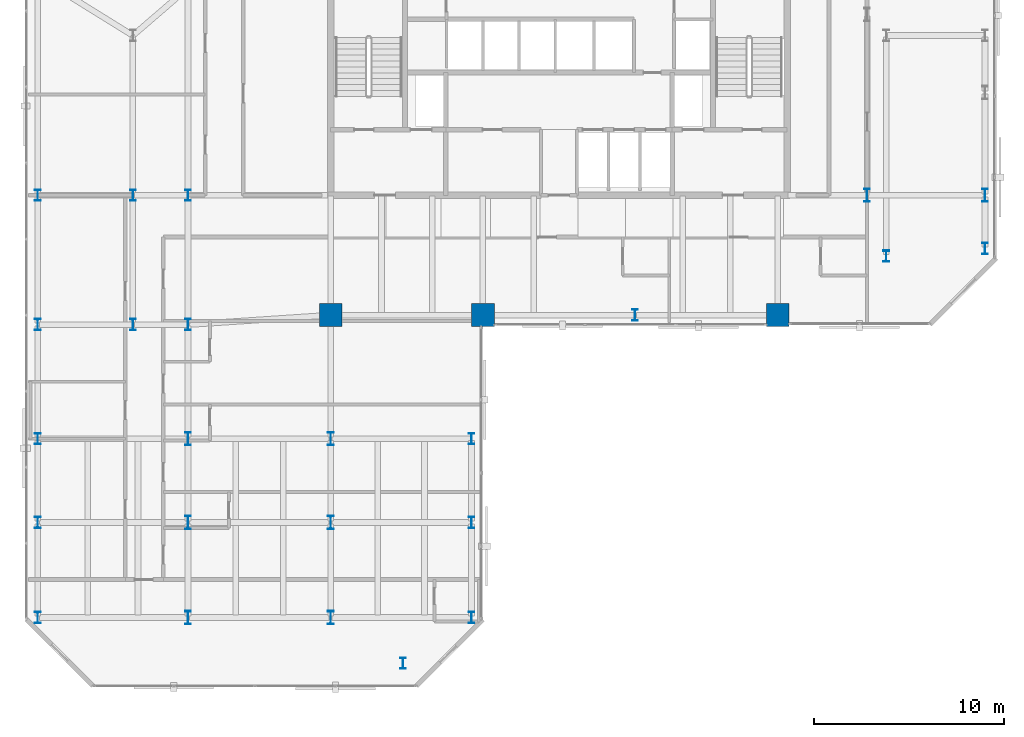
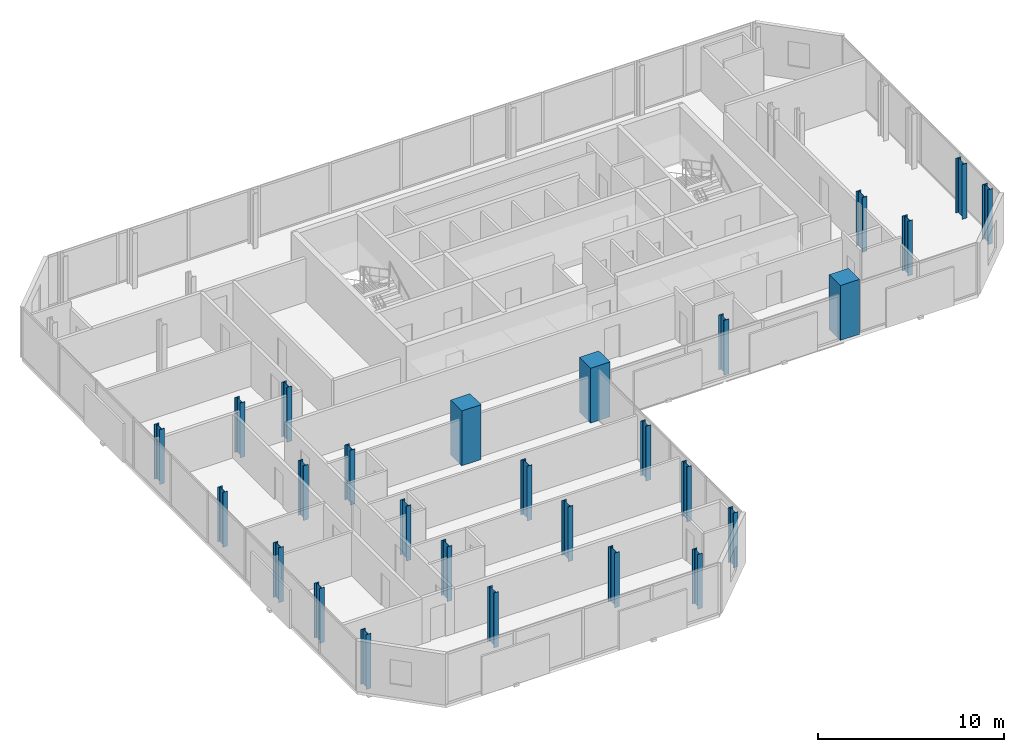
# One storey, part 1 of 32: 27 columns.
"""IFC4 building model written with IfcOpenShell, lengths in metres."""

import ifcopenshell
import ifcopenshell.guid

model = None  # the IFC model being written
_history = None  # IfcOwnerHistory: only IFC2X3 demands one
_inside = {}  # id of a spatial element -> (the spatial element, [elements in it])
_under = {}  # id of a project, library or spatial element -> (it, [spatial elements below it])
_declared = {}  # id of a project -> (the project, [libraries it declares])
_typed = {}  # id of a type object -> (the type object, [elements of that type])
_made_of = {}  # id of a material, layer set ... -> (it, [elements and type objects made of it])


def new_model(schema):
    """Start an empty IFC model of exactly this schema.

    Asked for "IFC4X3", IfcOpenShell would pick the latest addendum, in which some entities
    have other attributes; the version numbers below select the first issue.
    IFC2X3 requires an IfcOwnerHistory on every rooted entity: one is made here for all.
    """
    global model, _history
    if schema == "IFC4X3":
        model = ifcopenshell.file(schema_version=(4, 3, 0, 0))
    else:
        model = ifcopenshell.file(schema=schema)
    _inside.clear()
    _under.clear()
    _declared.clear()
    _typed.clear()
    _made_of.clear()
    _history = None
    if model.schema == "IFC2X3":
        org = make("IfcOrganization", Name="unknown")
        user = make(
            "IfcPersonAndOrganization",
            ThePerson=make("IfcPerson", FamilyName="unknown"),
            TheOrganization=org,
        )
        app = make(
            "IfcApplication",
            ApplicationDeveloper=org,
            Version="unknown",
            ApplicationFullName="unknown",
            ApplicationIdentifier="unknown",
        )
        _history = make(
            "IfcOwnerHistory",
            OwningUser=user,
            OwningApplication=app,
            ChangeAction="ADDED",
            CreationDate=0,
        )
    return model


def make(cls, **values):
    """One entity of the class cls with the attributes given. An attribute that is None is left unset."""
    return model.create_entity(
        cls, **{name: value for name, value in values.items() if value is not None}
    )


def rooted(cls, **values):
    """An entity with a GlobalId (a new one), such as an element, a storey or a relation."""
    return make(cls, GlobalId=ifcopenshell.guid.new(), OwnerHistory=_history, **values)


def si_unit(unit_type, name, prefix=None):
    """IfcSIUnit, for example si_unit("LENGTHUNIT", "METRE", prefix="MILLI")."""
    return make("IfcSIUnit", UnitType=unit_type, Prefix=prefix, Name=name)


def assignment(units):
    """IfcUnitAssignment: the units of a project."""
    return None if units is None else make("IfcUnitAssignment", Units=units)


def point(xyz):
    """IfcCartesianPoint."""
    return None if xyz is None else make("IfcCartesianPoint", Coordinates=xyz)


def direction(xyz):
    """IfcDirection."""
    return None if xyz is None else make("IfcDirection", DirectionRatios=xyz)


def frame(location, z_axis=None, x_axis=None):
    """IfcAxis2Placement3D, a coordinate frame: its origin and axes. An axis left out is left unset."""
    return make(
        "IfcAxis2Placement3D",
        Location=point(location),
        Axis=direction(z_axis),
        RefDirection=direction(x_axis),
    )


def frame_2d(location, x_axis=None):
    """IfcAxis2Placement2D, a coordinate frame in the plane: its origin and x axis."""
    return make(
        "IfcAxis2Placement2D", Location=point(location), RefDirection=direction(x_axis)
    )


def origin():
    """The frame at (0, 0, 0) with its axes left unset."""
    return frame((0.0, 0.0, 0.0))


def origin_2d():
    """The frame at (0, 0) in the plane with its x axis left unset."""
    return frame_2d((0.0, 0.0))


def place(relative_to, where):
    """IfcLocalPlacement: puts the frame where relative to a parent placement (None: the world)."""
    return make(
        "IfcLocalPlacement", PlacementRelTo=relative_to, RelativePlacement=where
    )


def context(
    kind, dimensions, precision=None, world=None, true_north=None, identifier=None
):
    """IfcGeometricRepresentationContext, for example the 3D "Model" context."""
    return make(
        "IfcGeometricRepresentationContext",
        ContextIdentifier=identifier,
        ContextType=kind,
        CoordinateSpaceDimension=dimensions,
        Precision=precision,
        WorldCoordinateSystem=world,
        TrueNorth=true_north,
    )


def subcontext(parent, identifier, kind, view, scale=None):
    """IfcGeometricRepresentationSubContext, for example "Body" below "Model"."""
    return make(
        "IfcGeometricRepresentationSubContext",
        ContextIdentifier=identifier,
        ContextType=kind,
        ParentContext=parent,
        TargetScale=scale,
        TargetView=view,
    )


def project(units=None, contexts=None):
    """IfcProject with its units and contexts."""
    return rooted(
        "IfcProject",
        Name="project",
        RepresentationContexts=contexts,
        UnitsInContext=assignment(units),
    )


def spatial(cls, under=None, at=None, **own):
    """A site, building, storey or space (cls), placed at a placement, below another one or the project."""
    s = rooted(cls, ObjectPlacement=at, **own)
    if under is not None:
        _under.setdefault(under.id(), (under, []))[1].append(s)
    return s


def profile(cls, at=None, kind="AREA", **sizes):
    """A parametric profile (cls). Its sizes go by their IFC names, for example OverallWidth=200.0."""
    return make(cls, ProfileType=kind, Position=at, **sizes)


def rectangle(**sizes):
    """IfcRectangleProfileDef."""
    return profile("IfcRectangleProfileDef", **sizes)


def i_section(**sizes):
    """IfcIShapeProfileDef."""
    return profile("IfcIShapeProfileDef", **sizes)


def extrude(swept, where, along, depth):
    """IfcExtrudedAreaSolid: the profile swept, set in the frame where, extruded along a direction by depth."""
    return make(
        "IfcExtrudedAreaSolid",
        SweptArea=swept,
        Position=where,
        ExtrudedDirection=direction(along),
        Depth=depth,
    )


def shape(context_of_items, identifier, shape_type, items):
    """IfcShapeRepresentation: the items that make up one representation, for example the "Body"."""
    return make(
        "IfcShapeRepresentation",
        ContextOfItems=context_of_items,
        RepresentationIdentifier=identifier,
        RepresentationType=shape_type,
        Items=items,
    )


def material(Name=None, Category=None):
    """IfcMaterial."""
    return make("IfcMaterial", Name=Name, Category=Category)


def material_profile(
    of_material, cross_section, Name=None, Category=None, Priority=None
):
    """IfcMaterialProfile: a cross section and its material."""
    return make(
        "IfcMaterialProfile",
        Name=Name,
        Material=of_material,
        Profile=cross_section,
        Priority=Priority,
        Category=Category,
    )


def profile_set(profiles, Name=None, composite=None):
    """IfcMaterialProfileSet."""
    return make(
        "IfcMaterialProfileSet",
        Name=Name,
        MaterialProfiles=profiles,
        CompositeProfile=composite,
    )


def made_of(thing, what):
    """Note that an element or type object is made of a material, layer set ...; save() writes the relation."""
    if what is not None:
        _made_of.setdefault(what.id(), (what, []))[1].append(thing)
    return thing


def type_object(cls, material=None, **own):
    """A type object (cls), such as IfcWallType, which elements share."""
    return made_of(rooted(cls, **own), material)


def element(
    cls,
    number,
    at=None,
    inside=None,
    cuts=None,
    type_object=None,
    material=None,
    context=None,
    identifier="Body",
    shape_type=None,
    held_by="IfcProductDefinitionShape",
    body=None,
    shapes=None,
    **own,
):
    """One element of the class cls, such as IfcWall. Its Tag is "e" and its number.

    at: its placement. inside: the storey or other place that contains it. cuts: it is an
    opening in that element (IfcRelVoidsElement). A single representation is given by context,
    identifier, shape_type and body (its items); several are given by shapes. held_by: the class
    of the entity that holds the representations. save() writes the other relations.
    """
    e = rooted(cls, Tag="e%d" % number, ObjectPlacement=at, **own)
    if body is not None:
        shapes = [shape(context, identifier, shape_type, body)]
    if shapes is not None:
        e.Representation = make(held_by, Representations=shapes)
    if inside is not None:
        _inside.setdefault(inside.id(), (inside, []))[1].append(e)
    if cuts is not None:
        rooted(
            "IfcRelVoidsElement", RelatingBuildingElement=cuts, RelatedOpeningElement=e
        )
    if type_object is not None:
        _typed.setdefault(type_object.id(), (type_object, []))[1].append(e)
    return made_of(e, material)


def aggregate(whole, parts):
    """IfcRelAggregates: a whole, such as a stair, and the parts it consists of."""
    return rooted("IfcRelAggregates", RelatingObject=whole, RelatedObjects=parts)


def save(model, path):
    """Write the relations noted so far, then the file.

    IfcRelAggregates (storeys below a building ...), IfcRelContainedInSpatialStructure (elements
    in a storey), IfcRelDefinesByType, IfcRelAssociatesMaterial and IfcRelDeclares: one each for
    every whole, place, type object, material and project.
    """
    for whole, parts in _under.values():
        aggregate(whole, parts)
    for where, things in _inside.values():
        rooted(
            "IfcRelContainedInSpatialStructure",
            RelatedElements=things,
            RelatingStructure=where,
        )
    for kind, things in _typed.values():
        rooted("IfcRelDefinesByType", RelatedObjects=things, RelatingType=kind)
    for what, things in _made_of.values():
        rooted("IfcRelAssociatesMaterial", RelatedObjects=things, RelatingMaterial=what)
    for by, libraries in _declared.values():
        rooted("IfcRelDeclares", RelatingContext=by, RelatedDefinitions=libraries)
    model.write(path)


model = new_model("IFC4")

# Units and contexts
model_context = context("Model", 3, precision=1e-05, world=origin(), true_north=direction((0.0, 1.0)))
body_context = subcontext(model_context, "Body", "Model", "MODEL_VIEW")
ifc_project = project(units=[si_unit("LENGTHUNIT", "METRE"), si_unit("AREAUNIT", "SQUARE_METRE"), si_unit("VOLUMEUNIT", "CUBIC_METRE"), si_unit("PLANEANGLEUNIT", "RADIAN"), si_unit("MASSUNIT", "GRAM", prefix="KILO")], contexts=[model_context])

# Site, building, storey
site_placement = place(None, origin())
site = spatial("IfcSite", under=ifc_project, at=site_placement, CompositionType="ELEMENT")
building_placement = place(site_placement, origin())
building = spatial("IfcBuilding", under=site, at=building_placement, Name="Catumbela Crestline Tower", CompositionType="ELEMENT")
storey_placement = place(building_placement, frame((0.0, 0.0, 126.0)))
storey = spatial("IfcBuildingStorey", under=building, at=storey_placement, Name="L32", CompositionType="ELEMENT", Elevation=126.0)

# Columns
ifc_material_1 = material(Name="Concrete C50/60", Category="concrete")
ifc_material_profile_1 = material_profile(ifc_material_1, rectangle(XDim=1.2, YDim=1.2, at=origin_2d()), Name="RC 1200x1200")
ifc_profile_set_1 = profile_set([ifc_material_profile_1], Name="Concrete C50/60")
column_type_1 = type_object("IfcColumnType", Name="C-RC1200-C50", PredefinedType="COLUMN", material=ifc_profile_set_1)
for number, where, z_axis, x_axis, name in (
    (1, (16.0, 24.5, 0.0), (0.0, 0.0, 1.0), (1.0, 0.0, 0.0), "L32 Column C-16-24 (RC 1200x1200)"),
    (2, (24.0, 24.5, 0.0), (0.0, 0.0, 1.0), (1.0, 0.0, 0.0), "L32 Column C-24-24 (RC 1200x1200)"),
    (3, (39.5, 24.5, 0.0), (0.0, 0.0, 1.0), (1.0, 0.0, 0.0), "L32 Column C-40-24 (RC 1200x1200)"),
):
    element("IfcColumn", number, at=place(storey_placement, frame(where, z_axis=z_axis, x_axis=x_axis)), inside=storey, type_object=column_type_1, Name=name, PredefinedType="COLUMN", context=body_context, shape_type="SweptSolid", body=[
        extrude(rectangle(XDim=1.2, YDim=1.2, at=origin_2d()), origin(), (0.0, 0.0, 1.0), 3.6),
    ])
ifc_material_2 = material(Name="Structural steel S460M", Category="steel")
ifc_material_profile_2 = material_profile(ifc_material_2, i_section(OverallWidth=0.3, OverallDepth=0.6, WebThickness=0.0155, FlangeThickness=0.03, FilletRadius=0.027, at=origin_2d()), Name="HEB 600")
ifc_profile_set_2 = profile_set([ifc_material_profile_2], Name="Structural steel S460M")
column_type_2 = type_object("IfcColumnType", Name="C-ST-HEB600", PredefinedType="COLUMN", material=ifc_profile_set_2)
for number, where, z_axis, x_axis, name in (
    (4, (8.5, 24.0, 0.0), (0.0, 0.0, 1.0), (1.0, 0.0, 0.0), "L32 Column C-08-24 (HEB 600)"),
    (5, (32.0, 24.5, 0.0), (0.0, 0.0, 1.0), (1.0, 0.0, 0.0), "L32 Column C-32-24 (HEB 600)"),
    (6, (5.6, 24.0, 0.0), (0.0, 0.0, 1.0), (1.0, 0.0, 0.0), "L32 Column C-05-24 (HEB 600)"),
    (7, (5.6, 30.8, 0.0), (0.0, 0.0, 1.0), (1.0, 0.0, 0.0), "L32 Column C-05-31 (HEB 600)"),
    (8, (8.5, 30.8, 0.0), (0.0, 0.0, 1.0), (1.0, 0.0, 0.0), "L32 Column C-08-31 (HEB 600)"),
    (9, (45.2, 27.6, 0.0), (0.0, 0.0, 1.0), (1.0, 0.0, 0.0), "L32 Column C-46-24 (HEB 600)"),
    (10, (0.6, 24.0, 0.0), (0.0, 0.0, 1.0), (1.0, 0.0, 0.0), "L32 Column C-00-24 (HEB 600)"),
    (11, (0.6, 30.8, 0.0), (0.0, 0.0, 1.0), (1.0, 0.0, 0.0), "L32 Column C-00-31 (HEB 600)"),
    (12, (50.4, 28.0, 0.0), (0.0, 0.0, 1.0), (1.0, 0.0, 0.0), "L32 Column C-51-24 (HEB 600)"),
    (13, (0.6, 8.6, 0.0), (0.0, 0.0, 1.0), (1.0, 0.0, 0.0), "L32 Column C-00-05 (HEB 600)"),
    (14, (0.6, 13.6, 0.0), (0.0, 0.0, 1.0), (1.0, 0.0, 0.0), "L32 Column C-00-10 (HEB 600)"),
    (15, (0.6, 18.0, 0.0), (0.0, 0.0, 1.0), (1.0, 0.0, 0.0), "L32 Column C-00-16 (HEB 600)"),
    (16, (19.8, 6.2, 0.0), (0.0, 0.0, 1.0), (1.0, 0.0, 0.0), "L32 Column C-24-05 (HEB 600)"),
    (17, (23.4, 8.6, 0.0), (0.0, 0.0, 1.0), (1.0, 0.0, 0.0), "L32 Column C-23-08 (HEB 600)"),
    (18, (23.4, 13.6, 0.0), (0.0, 0.0, 1.0), (1.0, 0.0, 0.0), "L32 Column C-24-10 (HEB 600)"),
    (19, (23.4, 18.0, 0.0), (0.0, 0.0, 1.0), (1.0, 0.0, 0.0), "L32 Column C-24-16 (HEB 600)"),
):
    element("IfcColumn", number, at=place(storey_placement, frame(where, z_axis=z_axis, x_axis=x_axis)), inside=storey, type_object=column_type_2, Name=name, PredefinedType="COLUMN", context=body_context, shape_type="SweptSolid", body=[
        extrude(i_section(OverallWidth=0.3, OverallDepth=0.6, WebThickness=0.0155, FlangeThickness=0.03, FilletRadius=0.027, at=origin_2d()), origin(), (0.0, 0.0, 1.0), 3.6),
    ])
ifc_material_profile_3 = material_profile(ifc_material_2, i_section(OverallWidth=0.3, OverallDepth=0.7, WebThickness=0.017, FlangeThickness=0.032, FilletRadius=0.027, at=origin_2d()), Name="HEB 700")
ifc_profile_set_3 = profile_set([ifc_material_profile_3], Name="Structural steel S460M")
column_type_3 = type_object("IfcColumnType", Name="C-ST-HEB700", PredefinedType="COLUMN", material=ifc_profile_set_3)
for number, where, z_axis, x_axis, name in (
    (20, (8.5, 8.6, 0.0), (0.0, 0.0, 1.0), (1.0, 0.0, 0.0), "L32 Column CT-05-05 (HEB 700)"),
    (21, (16.0, 8.6, 0.0), (0.0, 0.0, 1.0), (1.0, 0.0, 0.0), "L32 Column CT-14-05 (HEB 700)"),
    (22, (8.5, 13.6, 0.0), (0.0, 0.0, 1.0), (1.0, 0.0, 0.0), "L32 Column CT-05-10 (HEB 700)"),
    (23, (16.0, 13.6, 0.0), (0.0, 0.0, 1.0), (1.0, 0.0, 0.0), "L32 Column CT-14-10 (HEB 700)"),
    (24, (8.5, 18.0, 0.0), (0.0, 0.0, 1.0), (1.0, 0.0, 0.0), "L32 Column CT-05-16 (HEB 700)"),
    (25, (16.0, 18.0, 0.0), (0.0, 0.0, 1.0), (1.0, 0.0, 0.0), "L32 Column CT-14-16 (HEB 700)"),
    (26, (44.2, 30.8, 0.0), (0.0, 0.0, 1.0), (1.0, 0.0, 0.0), "L32 Column CT-46-31 (HEB 700)"),
    (27, (50.4, 30.8, 0.0), (0.0, 0.0, 1.0), (1.0, 0.0, 0.0), "L32 Column CT-51-31 (HEB 700)"),
):
    element("IfcColumn", number, at=place(storey_placement, frame(where, z_axis=z_axis, x_axis=x_axis)), inside=storey, type_object=column_type_3, Name=name, PredefinedType="COLUMN", context=body_context, shape_type="SweptSolid", body=[
        extrude(i_section(OverallWidth=0.3, OverallDepth=0.7, WebThickness=0.017, FlangeThickness=0.032, FilletRadius=0.027, at=origin_2d()), origin(), (0.0, 0.0, 1.0), 3.6),
    ])

save(model, "model.ifc")
